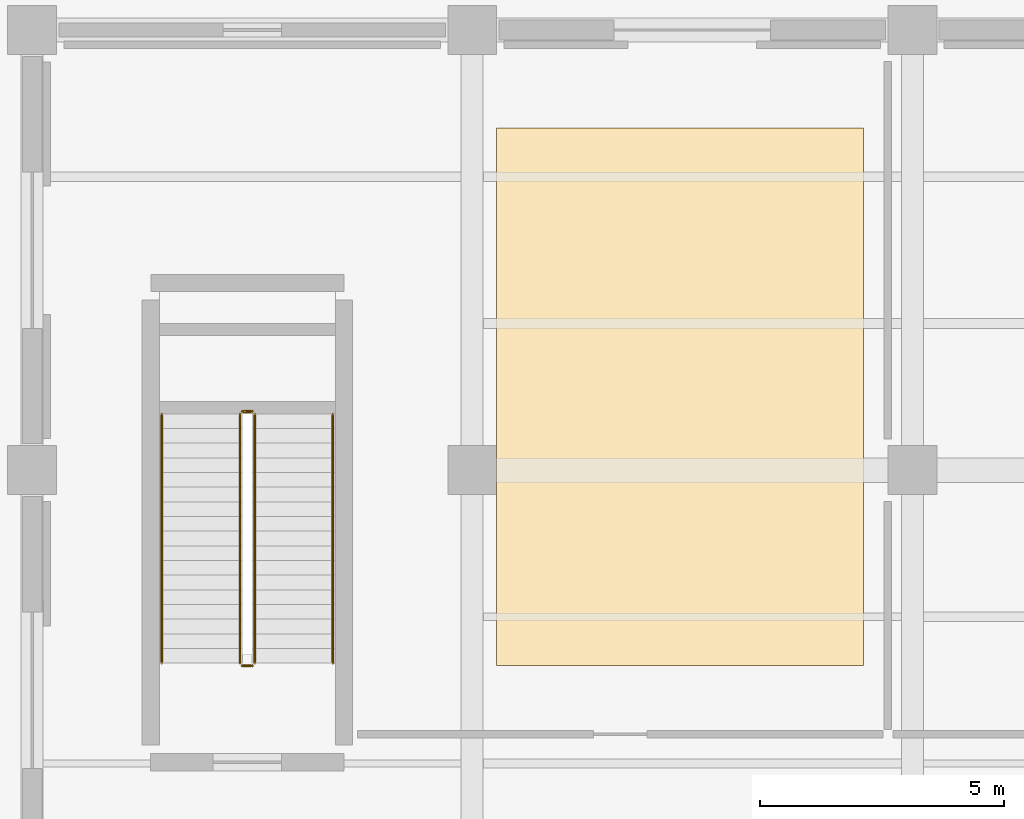
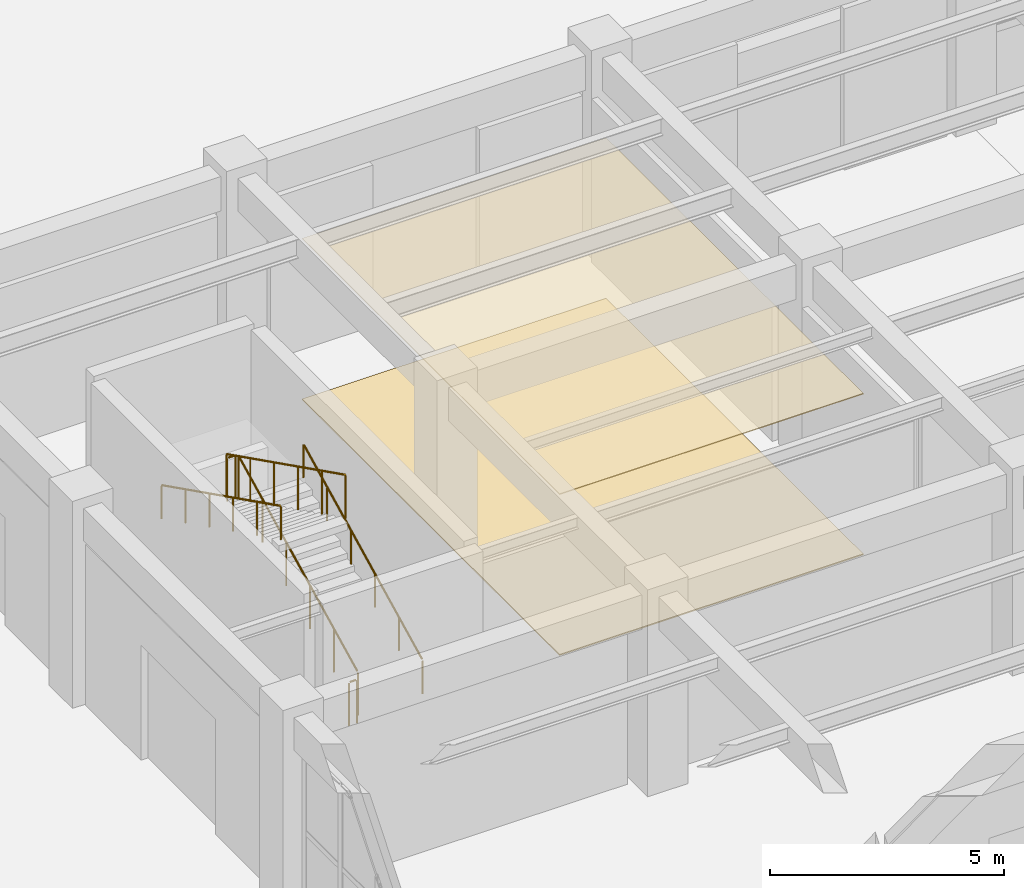
# One storey, part 131 of 140: 6 railings, 2 coverings.
"""IFC4 building model written with IfcOpenShell, lengths in metres."""

from ifc_helpers import new_model, si_unit, direction, frame, origin, origin_2d, place, context, subcontext, project, spatial, polyline, circle, outline, extrude, material, layer, layer_set, type_object, element, save


model = new_model("IFC4")

# Units and contexts
model_context = context("Model", 3, precision=1e-05, world=origin(), true_north=direction((0.0, 1.0)))
body_context = subcontext(model_context, "Body", "Model", "MODEL_VIEW")
ifc_project = project(units=[si_unit("LENGTHUNIT", "METRE"), si_unit("AREAUNIT", "SQUARE_METRE"), si_unit("VOLUMEUNIT", "CUBIC_METRE"), si_unit("PLANEANGLEUNIT", "RADIAN"), si_unit("MASSUNIT", "GRAM", prefix="KILO")], contexts=[model_context])

# Site, building, storey
site_placement = place(None, origin())
site = spatial("IfcSite", under=ifc_project, at=site_placement, CompositionType="ELEMENT")
building_placement = place(site_placement, origin())
building = spatial("IfcBuilding", under=site, at=building_placement, Name="Haizhuo Lancet Aquarium", CompositionType="ELEMENT")
storey_placement = place(building_placement, origin())
storey = spatial("IfcBuildingStorey", under=building, at=storey_placement, Name="L00", CompositionType="ELEMENT", Elevation=0.0)

# Coverings
ifc_material_1 = material(Name="Acoustic Mineral Fibre Board")
ifc_layer_1 = layer(ifc_material_1, 0.02490234375)
ifc_layer_set_1 = layer_set([ifc_layer_1], Name="Acoustic Mineral Fibre Board")
covering_type_1 = type_object("IfcCoveringType", Name="COV-CLG-ACU", PredefinedType="CEILING", material=ifc_layer_set_1)
covering_1_placement = place(storey_placement, frame((0.0, 0.0, 4.195068359375)))
element("IfcCovering", 1, at=covering_1_placement, inside=storey, type_object=covering_type_1, Name="L00 V3 acoustic suspended ceiling 2", PredefinedType="CEILING", context=body_context, shape_type="SweptSolid", body=[
    extrude(outline(polyline([(36.5, -22.0), (44.0, -22.0), (44.0, -11.0), (36.5, -11.0), (36.5, -22.0)])), origin(), (0.0, 0.0, 1.0), 0.02490234375),
])
ifc_material_2 = material(Name="Shandong Grey Limestone Ashlar", Category="masonry")
ifc_layer_2 = layer(ifc_material_2, 0.030029296875)
ifc_layer_set_2 = layer_set([ifc_layer_2], Name="Shandong Grey Limestone Ashlar")
covering_type_2 = type_object("IfcCoveringType", Name="COV-FLR-STN", PredefinedType="FLOORING", material=ifc_layer_set_2)
covering_2_placement = place(storey_placement, origin())
element("IfcCovering", 2, at=covering_2_placement, inside=storey, type_object=covering_type_2, Name="L00 V3 limestone floor finish 2", PredefinedType="FLOORING", context=body_context, shape_type="SweptSolid", body=[
    extrude(outline(polyline([(36.5, -22.0), (44.0, -22.0), (44.0, -11.0), (36.5, -11.0), (36.5, -22.0)])), origin(), (0.0, 0.0, 1.0), 0.030029296875),
])

# Railings
ifc_material_3 = material(Name="Steel S355", Category="steel")
railing_type_1 = type_object("IfcRailingType", Name="RL-GRD-1150", PredefinedType="GUARDRAIL", material=ifc_material_3)
railing_1_placement = place(storey_placement, frame((31.550048828125, -21.949951171875, 0.14990234375)))
element("IfcRailing", 3, at=railing_1_placement, inside=storey, type_object=railing_type_1, Name="L00 ST-04 stair guard 1", PredefinedType="GUARDRAIL", context=body_context, shape_type="SweptSolid", body=[
    extrude(circle(Radius=0.02392578125, at=origin_2d()), frame((0.0, 0.02685546875, 1.13916015625), z_axis=(0.0, 0.894418627299, 0.447230722492), x_axis=(-1.0, 0.0, 0.0)), (0.0, 0.0, 1.0), 5.641845703125),
    extrude(circle(Radius=0.02099609375, at=origin_2d()), origin(), (0.0, 0.0, 1.0), 1.097900390625),
    extrude(circle(Radius=0.02099609375, at=origin_2d()), frame((0.0, 1.02001953125, 0.510009765625)), (0.0, 0.0, 1.0), 1.097900390625),
    extrude(circle(Radius=0.02099609375, at=origin_2d()), frame((0.0, 2.0400390625, 1.02001953125)), (0.0, 0.0, 1.0), 1.097900390625),
    extrude(circle(Radius=0.02099609375, at=origin_2d()), frame((0.0, 3.059814453125, 1.530029296875)), (0.0, 0.0, 1.0), 1.097900390625),
    extrude(circle(Radius=0.02099609375, at=origin_2d()), frame((0.0, 4.079833984375, 2.0400390625)), (0.0, 0.0, 1.0), 1.097900390625),
    extrude(circle(Radius=0.02099609375, at=origin_2d()), frame((0.0, 5.099853515625, 2.550048828125)), (0.0, 0.0, 1.0), 1.097900390625),
])
railing_2_placement = place(storey_placement, frame((31.5, -16.800048828125, 2.699951171875)))
element("IfcRailing", 4, at=railing_2_placement, inside=storey, type_object=railing_type_1, Name="L00 ST-04 stair guard 2", PredefinedType="GUARDRAIL", context=body_context, shape_type="SweptSolid", body=[
    extrude(circle(Radius=0.02392578125, at=origin_2d()), frame((-0.030029296875, 0.0, 1.1259765625), z_axis=(-1.0, 0.0, 0.0), x_axis=(0.0, -1.0, 0.0)), (0.0, 0.0, 1.0), 0.139892578125),
    extrude(circle(Radius=0.02099609375, at=origin_2d()), origin(), (0.0, 0.0, 1.0), 1.097900390625),
    extrude(circle(Radius=0.02099609375, at=origin_2d()), frame((-0.199951171875, 0.0, 0.0)), (0.0, 0.0, 1.0), 1.097900390625),
])
railing_3_placement = place(storey_placement, frame((31.25, -16.85009765625, 2.85009765625)))
element("IfcRailing", 5, at=railing_3_placement, inside=storey, type_object=railing_type_1, Name="L00 ST-04 stair guard 3", PredefinedType="GUARDRAIL", context=body_context, shape_type="SweptSolid", body=[
    extrude(circle(Radius=0.02392578125, at=origin_2d()), frame((0.0, -0.02685546875, 1.13916015625), z_axis=(0.0, -0.894435754537, 0.447196468016), x_axis=(1.0, 0.0, 0.0)), (0.0, 0.0, 1.0), 5.641845703125),
    extrude(circle(Radius=0.02099609375, at=origin_2d()), origin(), (0.0, 0.0, 1.0), 1.097900390625),
    extrude(circle(Radius=0.02099609375, at=origin_2d()), frame((0.0, -1.02001953125, 0.510009765625)), (0.0, 0.0, 1.0), 1.097900390625),
    extrude(circle(Radius=0.02099609375, at=origin_2d()), frame((0.0, -2.0400390625, 1.02001953125)), (0.0, 0.0, 1.0), 1.097900390625),
    extrude(circle(Radius=0.02099609375, at=origin_2d()), frame((0.0, -3.059814453125, 1.52978515625)), (0.0, 0.0, 1.0), 1.097900390625),
    extrude(circle(Radius=0.02099609375, at=origin_2d()), frame((0.0, -4.079833984375, 2.039794921875)), (0.0, 0.0, 1.0), 1.097900390625),
    extrude(circle(Radius=0.02099609375, at=origin_2d()), frame((0.0, -5.099853515625, 2.5498046875)), (0.0, 0.0, 1.0), 1.097900390625),
])
railing_4_placement = place(storey_placement, frame((31.5, -22.0, 0.0)))
element("IfcRailing", 6, at=railing_4_placement, inside=storey, type_object=railing_type_1, Name="L00 ST-04 stair guard 4", PredefinedType="GUARDRAIL", context=body_context, shape_type="SweptSolid", body=[
    extrude(circle(Radius=0.02392578125, at=origin_2d()), frame((-0.030029296875, 0.0, 1.1259765625), z_axis=(-1.0, 0.0, 0.0), x_axis=(0.0, -1.0, 0.0)), (0.0, 0.0, 1.0), 0.139892578125),
    extrude(circle(Radius=0.02099609375, at=origin_2d()), origin(), (0.0, 0.0, 1.0), 1.097900390625),
    extrude(circle(Radius=0.02099609375, at=origin_2d()), frame((-0.199951171875, 0.0, 0.0)), (0.0, 0.0, 1.0), 1.097900390625),
])
railing_type_2 = type_object("IfcRailingType", Name="RL-HDR-900", PredefinedType="HANDRAIL", material=ifc_material_3)
railing_5_placement = place(storey_placement, frame((33.14990234375, -21.949951171875, 0.14990234375)))
element("IfcRailing", 7, at=railing_5_placement, inside=storey, type_object=railing_type_2, Name="L00 ST-04 pitch handrail 1", PredefinedType="HANDRAIL", context=body_context, shape_type="SweptSolid", body=[
    extrude(circle(Radius=0.02392578125, at=origin_2d()), frame((0.0, 0.02685546875, 0.88916015625), z_axis=(0.0, 0.894418627299, 0.447230722492), x_axis=(-1.0, 0.0, 0.0)), (0.0, 0.0, 1.0), 5.641845703125),
    extrude(circle(Radius=0.02099609375, at=origin_2d()), origin(), (0.0, 0.0, 1.0), 0.847900390625),
    extrude(circle(Radius=0.02099609375, at=origin_2d()), frame((0.0, 1.02001953125, 0.510009765625)), (0.0, 0.0, 1.0), 0.847900390625),
    extrude(circle(Radius=0.02099609375, at=origin_2d()), frame((0.0, 2.0400390625, 1.02001953125)), (0.0, 0.0, 1.0), 0.847900390625),
    extrude(circle(Radius=0.02099609375, at=origin_2d()), frame((0.0, 3.059814453125, 1.530029296875)), (0.0, 0.0, 1.0), 0.847900390625),
    extrude(circle(Radius=0.02099609375, at=origin_2d()), frame((0.0, 4.079833984375, 2.0400390625)), (0.0, 0.0, 1.0), 0.847900390625),
    extrude(circle(Radius=0.02099609375, at=origin_2d()), frame((0.0, 5.099853515625, 2.550048828125)), (0.0, 0.0, 1.0), 0.847900390625),
])
railing_6_placement = place(storey_placement, frame((29.64990234375, -16.85009765625, 2.85009765625)))
element("IfcRailing", 8, at=railing_6_placement, inside=storey, type_object=railing_type_2, Name="L00 ST-04 pitch handrail 2", PredefinedType="HANDRAIL", context=body_context, shape_type="SweptSolid", body=[
    extrude(circle(Radius=0.02392578125, at=origin_2d()), frame((0.0, -0.02685546875, 0.88916015625), z_axis=(0.0, -0.894435754537, 0.447196468016), x_axis=(1.0, 0.0, 0.0)), (0.0, 0.0, 1.0), 5.641845703125),
    extrude(circle(Radius=0.02099609375, at=origin_2d()), origin(), (0.0, 0.0, 1.0), 0.847900390625),
    extrude(circle(Radius=0.02099609375, at=origin_2d()), frame((0.0, -1.02001953125, 0.510009765625)), (0.0, 0.0, 1.0), 0.847900390625),
    extrude(circle(Radius=0.02099609375, at=origin_2d()), frame((0.0, -2.0400390625, 1.02001953125)), (0.0, 0.0, 1.0), 0.847900390625),
    extrude(circle(Radius=0.02099609375, at=origin_2d()), frame((0.0, -3.059814453125, 1.52978515625)), (0.0, 0.0, 1.0), 0.847900390625),
    extrude(circle(Radius=0.02099609375, at=origin_2d()), frame((0.0, -4.079833984375, 2.039794921875)), (0.0, 0.0, 1.0), 0.847900390625),
    extrude(circle(Radius=0.02099609375, at=origin_2d()), frame((0.0, -5.099853515625, 2.5498046875)), (0.0, 0.0, 1.0), 0.847900390625),
])

save(model, "model.ifc")
